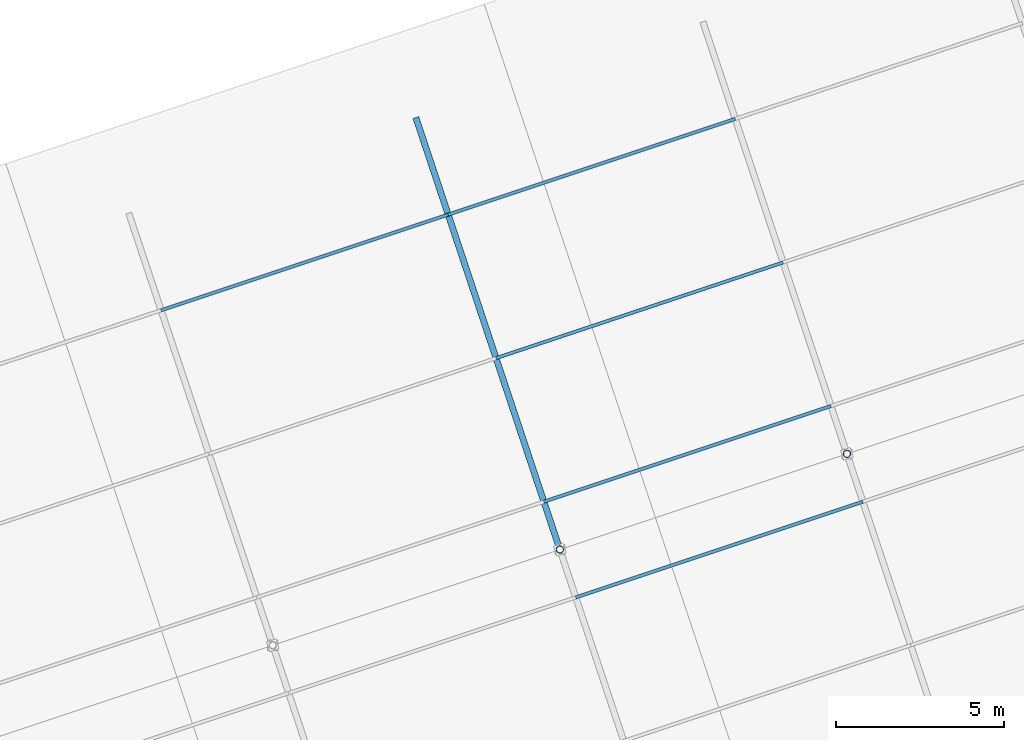
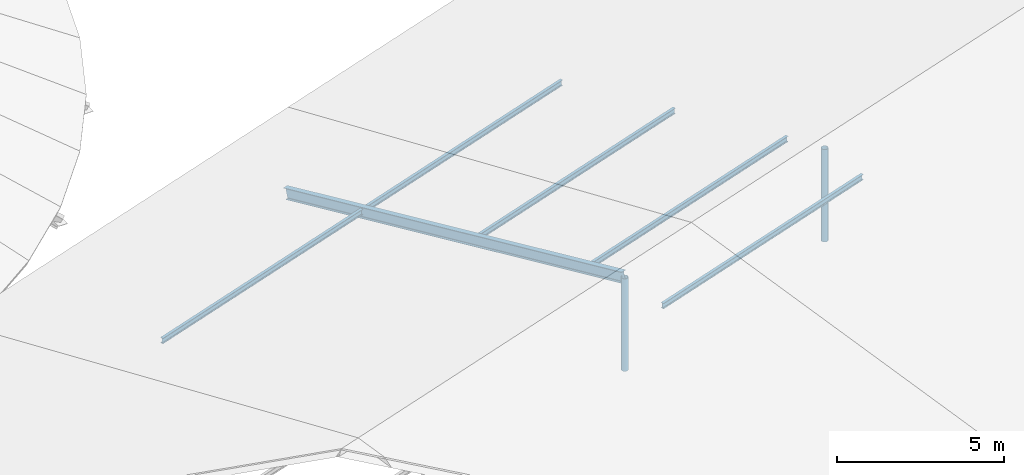
# One storey, part 29 of 107: 8 members.
"""IFC4 building model written with IfcOpenShell, lengths in metres."""

from ifc_helpers import new_model, si_unit, derived_unit, direction, frame, origin, origin_2d, place, context, subcontext, project, spatial, hollow_circle, i_section, extrude, material, material_profile, profile_set, type_object, element, save


model = new_model("IFC4")

# Units and contexts
model_context = context("Model", 3, precision=1e-05, world=origin(), true_north=direction((0.0, 1.0)))
body_context = subcontext(model_context, "Body", "Model", "MODEL_VIEW")
ifc_project = project(units=[si_unit("LENGTHUNIT", "METRE"), si_unit("AREAUNIT", "SQUARE_METRE"), si_unit("VOLUMEUNIT", "CUBIC_METRE"), si_unit("PLANEANGLEUNIT", "RADIAN"), si_unit("MASSUNIT", "GRAM", prefix="KILO"), si_unit("THERMODYNAMICTEMPERATUREUNIT", "KELVIN"), si_unit("TIMEUNIT", "SECOND"), derived_unit("THERMALTRANSMITTANCEUNIT", [(si_unit("MASSUNIT", "GRAM", prefix="KILO"), 1), (si_unit("THERMODYNAMICTEMPERATUREUNIT", "KELVIN"), -1), (si_unit("TIMEUNIT", "SECOND"), -3)])], contexts=[model_context])

# Site, building, storey
site_placement = place(None, origin())
site = spatial("IfcSite", under=ifc_project, at=site_placement, CompositionType="ELEMENT")
building_placement = place(site_placement, origin())
building = spatial("IfcBuilding", under=site, at=building_placement, Name="Cambertide Market Hall", CompositionType="ELEMENT")
storey_placement = place(building_placement, frame((0.0, 0.0, 18.300048828125)))
storey = spatial("IfcBuildingStorey", under=building, at=storey_placement, Name="RF", CompositionType="ELEMENT", Elevation=18.300048828125)

# Members
ifc_material_1 = material(Name="Steel S355", Category="steel")
ifc_material_profile_1 = material_profile(ifc_material_1, i_section(OverallWidth=0.179931640625, OverallDepth=0.39990234375, WebThickness=0.008544921875, FlangeThickness=0.013427734375, FilletRadius=0.02099609375, at=origin_2d()), Name="IPE 400")
ifc_profile_set_1 = profile_set([ifc_material_profile_1], Name="Steel S355")
member_type_1 = type_object("IfcMemberType", Name="Radial Fan Rafter IPE 400", PredefinedType="RAFTER", material=ifc_profile_set_1)
member_1_placement = place(storey_placement, frame((123.076416015625, 46.152587890625, -4.400146484375), z_axis=(0.307722895313, -0.923168685938, 0.230361014505), x_axis=(0.948683298051, 0.316227766017, 0.0)))
element("IfcMember", 1, at=member_1_placement, inside=storey, type_object=member_type_1, Name="RAF-V3N-4", PredefinedType="RAFTER", context=body_context, shape_type="SweptSolid", body=[
    extrude(i_section(OverallWidth=0.179931640625, OverallDepth=0.39990234375, WebThickness=0.008544921875, FlangeThickness=0.013427734375, FilletRadius=0.02099609375, at=origin_2d()), origin(), (0.0, 0.0, 1.0), 13.873046875),
])
ifc_material_2 = material(Name="Steel S275", Category="steel")
ifc_material_profile_2 = material_profile(ifc_material_2, i_section(OverallWidth=0.10009765625, OverallDepth=0.199951171875, WebThickness=0.005615234375, FlangeThickness=0.008544921875, FilletRadius=0.011962890625, at=origin_2d()), Name="IPE 200")
ifc_profile_set_2 = profile_set([ifc_material_profile_2], Name="Steel S275")
member_type_2 = type_object("IfcMemberType", Name="Roof Purlin IPE 200", PredefinedType="PURLIN", material=ifc_profile_set_2)
for number, where, z_axis, x_axis, name in (
    (2, (115.48681640625, 40.46044921875, -3.68994140625), (0.948677872554, 0.31624404204, 0.0), (-0.31624404204, 0.948677872554, 0.0), "PUR-V3-3-24"),
    (3, (127.81982421875, 31.92236328125, -1.5595703125), (0.948686010717, 0.3162196279, 0.0), (-0.3162196279, 0.948686010717, 0.0), "PUR-V3-4-12"),
    (4, (126.87109375, 34.768310546875, -1.5595703125), (0.948677872554, 0.31624404204, 0.0), (-0.31624404204, 0.948677872554, 0.0), "PUR-V3-4-15"),
    (5, (125.447998046875, 39.037353515625, -2.624755859375), (0.948677872554, 0.31624404204, 0.0), (-0.31624404204, 0.948677872554, 0.0), "PUR-V3-4-19"),
):
    element("IfcMember", number, at=place(storey_placement, frame(where, z_axis=z_axis, x_axis=x_axis)), inside=storey, type_object=member_type_2, Name=name, PredefinedType="PURLIN", context=body_context, shape_type="SweptSolid", body=[
        extrude(i_section(OverallWidth=0.10009765625, OverallDepth=0.199951171875, WebThickness=0.005615234375, FlangeThickness=0.008544921875, FilletRadius=0.011962890625, at=origin_2d()), origin(), (0.0, 0.0, 1.0), 9.0),
    ])
member_2_placement = place(storey_placement, frame((124.02490234375, 43.306640625, -3.68994140625), z_axis=(0.948688723175, 0.316211490179, 0.0), x_axis=(-0.316211490179, 0.948688723175, 0.0)))
element("IfcMember", 6, at=member_2_placement, inside=storey, type_object=member_type_2, Name="PUR-V3-4-24", PredefinedType="PURLIN", context=body_context, shape_type="SweptSolid", body=[
    extrude(i_section(OverallWidth=0.10009765625, OverallDepth=0.199951171875, WebThickness=0.005615234375, FlangeThickness=0.008544921875, FilletRadius=0.011962890625, at=origin_2d()), origin(), (0.0, 0.0, 1.0), 9.000244140625),
])
ifc_material_3 = material(Name="Steel S355", Category="steel")
ifc_material_profile_3 = material_profile(ifc_material_3, hollow_circle(Radius=0.109619140625, WallThickness=0.008056640625, at=origin_2d()), Name="CHS 219.1x8")
ifc_profile_set_3 = profile_set([ifc_material_profile_3], Name="Steel S355")
member_type_3 = type_object("IfcMemberType", Name="Structural Brace CHS 219.1x8", PredefinedType="BRACE", material=ifc_profile_set_3)
for number, where, z_axis, x_axis, name in (
    (7, (127.345458984375, 33.345458984375, -4.580078125), (0.0, 0.0, 1.0), (1.0, 0.0, 0.0), "KP-V3-4"),
    (8, (135.883544921875, 36.19140625, -4.580078125), (0.0, 0.0, 1.0), (1.0, 0.0, 0.0), "KP-V3-5"),
):
    element("IfcMember", number, at=place(storey_placement, frame(where, z_axis=z_axis, x_axis=x_axis)), inside=storey, type_object=member_type_3, Name=name, PredefinedType="BRACE", context=body_context, shape_type="SweptSolid", body=[
        extrude(hollow_circle(Radius=0.109619140625, WallThickness=0.008056640625, at=origin_2d()), origin(), (0.0, 0.0, 1.0), 3.375732421875),
    ])

save(model, "model.ifc")
